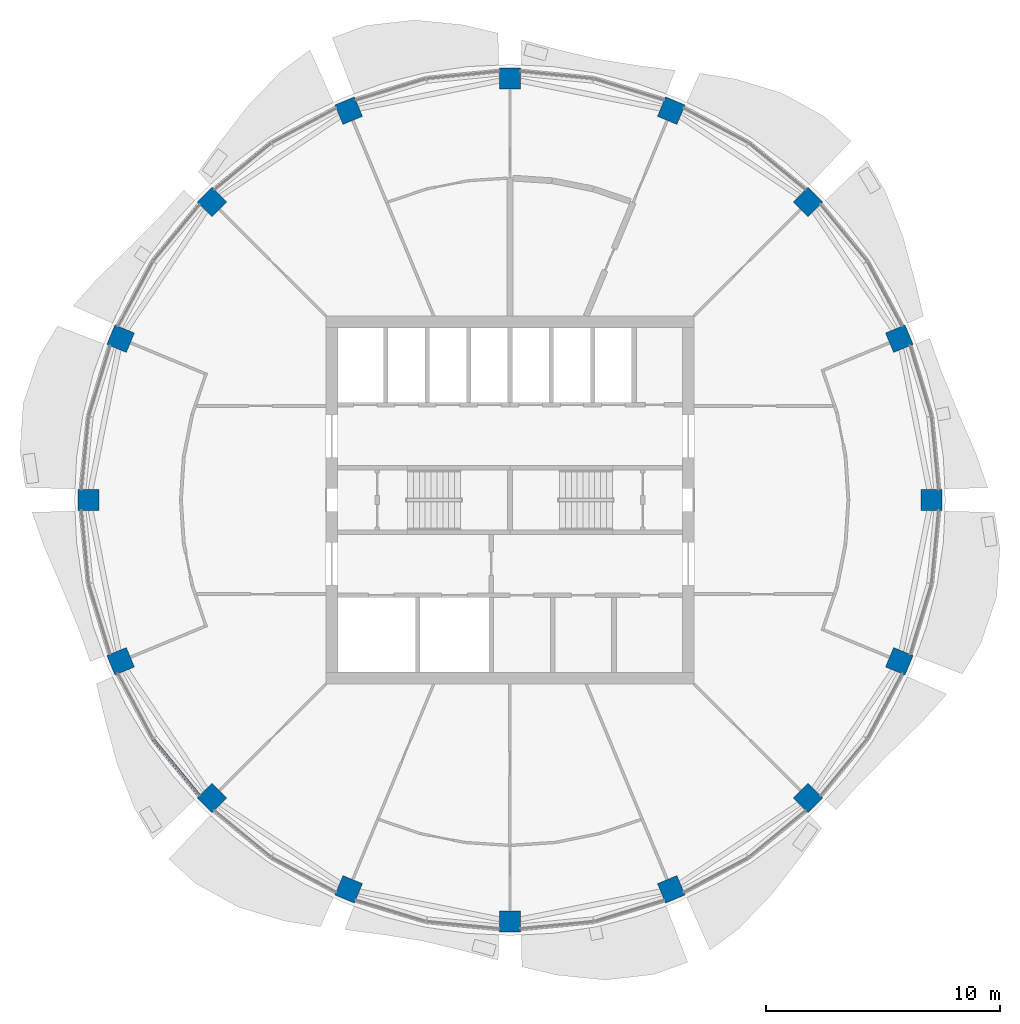
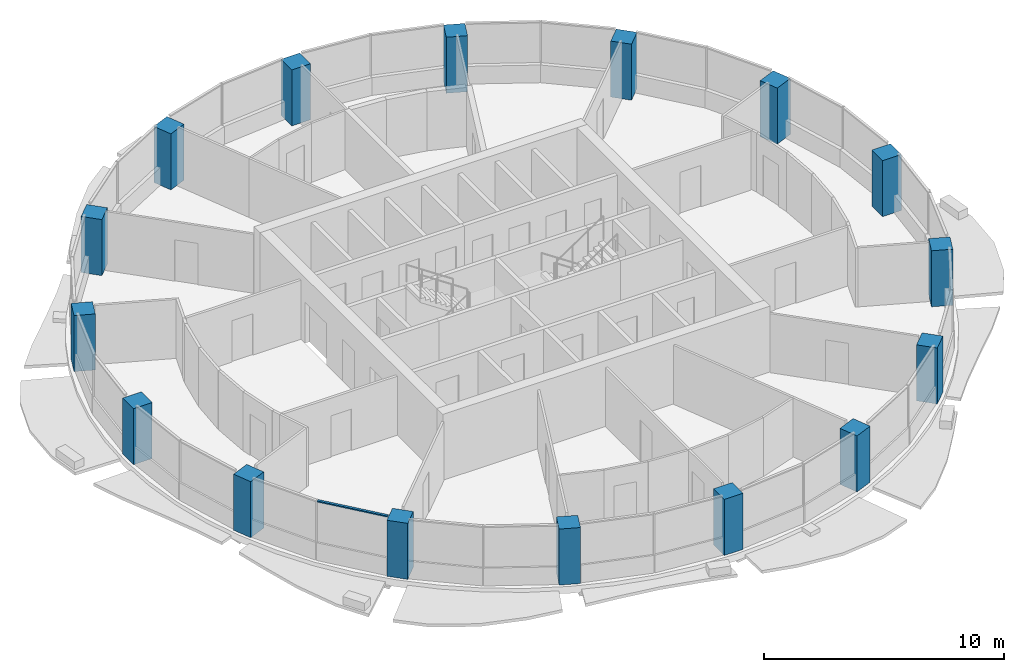
# One storey, part 1 of 15: 16 columns, 1 member, 1 element without a shape of its own.
"""IFC4 building model written with IfcOpenShell, lengths in metres."""

from ifc_helpers import new_model, si_unit, direction, frame, origin, origin_2d, place, context, subcontext, project, spatial, rectangle, extrude, material, material_profile, profile_set, type_object, element, aggregate, save


model = new_model("IFC4")

# Units and contexts
model_context = context("Model", 3, precision=1e-05, world=origin(), true_north=direction((0.0, 1.0)))
body_context = subcontext(model_context, "Body", "Model", "MODEL_VIEW")
ifc_project = project(units=[si_unit("LENGTHUNIT", "METRE"), si_unit("AREAUNIT", "SQUARE_METRE"), si_unit("VOLUMEUNIT", "CUBIC_METRE"), si_unit("PLANEANGLEUNIT", "RADIAN"), si_unit("MASSUNIT", "GRAM", prefix="KILO")], contexts=[model_context])

# Site, building, storey
site_placement = place(None, origin())
site = spatial("IfcSite", under=ifc_project, at=site_placement, CompositionType="ELEMENT")
building_placement = place(site_placement, origin())
building = spatial("IfcBuilding", under=site, at=building_placement, Name="Polderwave Tower", CompositionType="ELEMENT")
storey_placement = place(building_placement, frame((0.0, 0.0, 180.949951171875)))
storey = spatial("IfcBuildingStorey", under=building, at=storey_placement, Name="L48", CompositionType="ELEMENT", Elevation=180.949951171875)

# Columns
ifc_material_1 = material(Name="Concrete C60/75", Category="concrete")
ifc_material_profile_1 = material_profile(ifc_material_1, rectangle(XDim=0.89990234375, YDim=0.89990234375, at=origin_2d()), Name="RC 900x900")
ifc_profile_set_1 = profile_set([ifc_material_profile_1], Name="Concrete C60/75")
column_type = type_object("IfcColumnType", Name="RC COLUMN 900x900 C60/75", PredefinedType="COLUMN", material=ifc_profile_set_1)
for number, where, z_axis, x_axis, name in (
    (1, (18.02001953125, 0.0, 0.0), (0.0, 0.0, 1.0), (1.0, 0.0, 0.0), "Ring column 01"),
    (2, (16.648193359375, 6.89599609375, 0.0), (0.0, 0.0, 1.0), (0.923879532511, 0.382683432365, 0.0), "Ring column 02"),
    (3, (12.741943359375, 12.741943359375, 0.0), (0.0, 0.0, 1.0), (0.707106781187, 0.707106781187, 0.0), "Ring column 03"),
    (4, (6.89599609375, 16.648193359375, 0.0), (0.0, 0.0, 1.0), (0.382683432365, 0.923879532511, 0.0), "Ring column 04"),
    (5, (0.0, 18.02001953125, 0.0), (0.0, 0.0, 1.0), (0.0, 1.0, 0.0), "Ring column 05"),
    (6, (-6.89599609375, 16.648193359375, 0.0), (0.0, 0.0, 1.0), (-0.382683432365, 0.923879532511, 0.0), "Ring column 06"),
    (7, (-12.741943359375, 12.741943359375, 0.0), (0.0, 0.0, 1.0), (-0.707106781187, 0.707106781187, 0.0), "Ring column 07"),
    (8, (-16.648193359375, 6.89599609375, 0.0), (0.0, 0.0, 1.0), (-0.923879532511, 0.382683432365, 0.0), "Ring column 08"),
    (9, (-18.02001953125, 0.0, 0.0), (0.0, 0.0, 1.0), (-1.0, 0.0, 0.0), "Ring column 09"),
    (10, (-16.648193359375, -6.89599609375, 0.0), (0.0, 0.0, 1.0), (-0.923879532511, -0.382683432365, 0.0), "Ring column 10"),
    (11, (-12.741943359375, -12.741943359375, 0.0), (0.0, 0.0, 1.0), (-0.707106781187, -0.707106781187, 0.0), "Ring column 11"),
    (12, (-6.89599609375, -16.648193359375, 0.0), (0.0, 0.0, 1.0), (-0.382683432365, -0.923879532511, 0.0), "Ring column 12"),
    (13, (0.0, -18.02001953125, 0.0), (0.0, 0.0, 1.0), (0.0, -1.0, 0.0), "Ring column 13"),
    (14, (6.89599609375, -16.648193359375, 0.0), (0.0, 0.0, 1.0), (0.382683432365, -0.923879532511, 0.0), "Ring column 14"),
    (15, (12.741943359375, -12.741943359375, 0.0), (0.0, 0.0, 1.0), (0.707106781187, -0.707106781187, 0.0), "Ring column 15"),
    (16, (16.648193359375, -6.89599609375, 0.0), (0.0, 0.0, 1.0), (0.923879532511, -0.382683432365, 0.0), "Ring column 16"),
):
    element("IfcColumn", number, at=place(storey_placement, frame(where, z_axis=z_axis, x_axis=x_axis)), inside=storey, type_object=column_type, Name=name, PredefinedType="COLUMN", context=body_context, shape_type="SweptSolid", body=[
        extrude(rectangle(XDim=0.89990234375, YDim=0.89990234375, at=origin_2d()), origin(), (0.0, 0.0, 1.0), 2.85009765625),
    ])

# Curtain wall, member
ifc_material_2 = material(Name="Aluminium 6063-T6 and glass", Category="aluminium")
curtain_wall_type = type_object("IfcCurtainWallType", Name="Office ribbon glazing wall", PredefinedType="NOTDEFINED", material=ifc_material_2)
curtain_wall_placement = place(storey_placement, origin())
curtain_wall = element("IfcCurtainWall", 17, at=curtain_wall_placement, inside=storey, type_object=curtain_wall_type, Name="CW3 L48 09", PredefinedType="NOTDEFINED")
ifc_material_3 = material(Name="Aluminium 6063-T6", Category="aluminium")
ifc_material_profile_2 = material_profile(ifc_material_3, rectangle(XDim=0.1201171875, YDim=0.06005859375, at=origin_2d()), Name="AL 60x120")
ifc_profile_set_2 = profile_set([ifc_material_profile_2], Name="Aluminium 6063-T6")
member_type = type_object("IfcMemberType", Name="Office ribbon glazing transom 60x120", PredefinedType="USERDEFINED", material=ifc_profile_set_2)
member_placement = place(storey_placement, frame((-15.256591796875, -10.227294921875, 2.969970703125), z_axis=(0.634535918475, -0.772893374383, 0.0), x_axis=(0.772893374383, 0.634535918475, 0.0)))
member = element("IfcMember", 18, at=member_placement, type_object=member_type, Name="CW3 transom 2", ObjectType="TRANSOM", PredefinedType="USERDEFINED", context=body_context, shape_type="SweptSolid", body=[
    extrude(rectangle(XDim=0.1201171875, YDim=0.06005859375, at=origin_2d()), origin(), (0.0, 0.0, 1.0), 3.12158203125),
])
aggregate(curtain_wall, [member])

save(model, "model.ifc")
